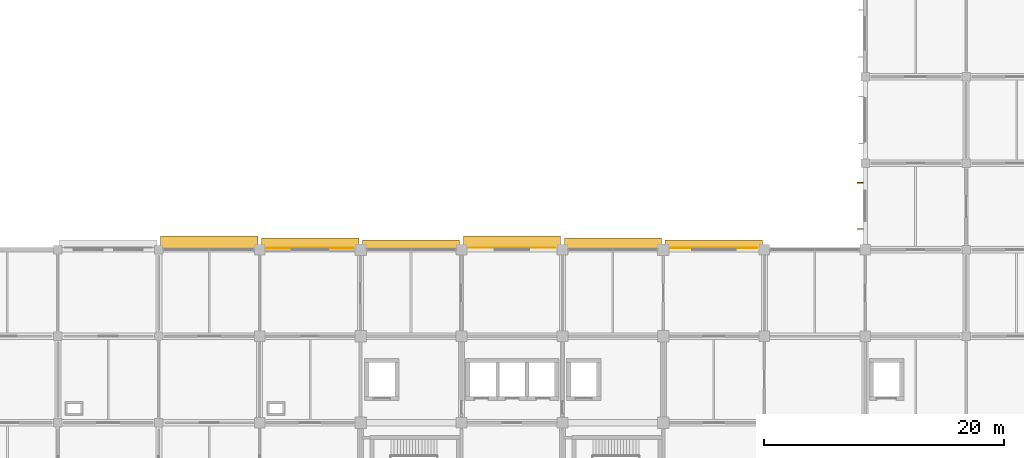
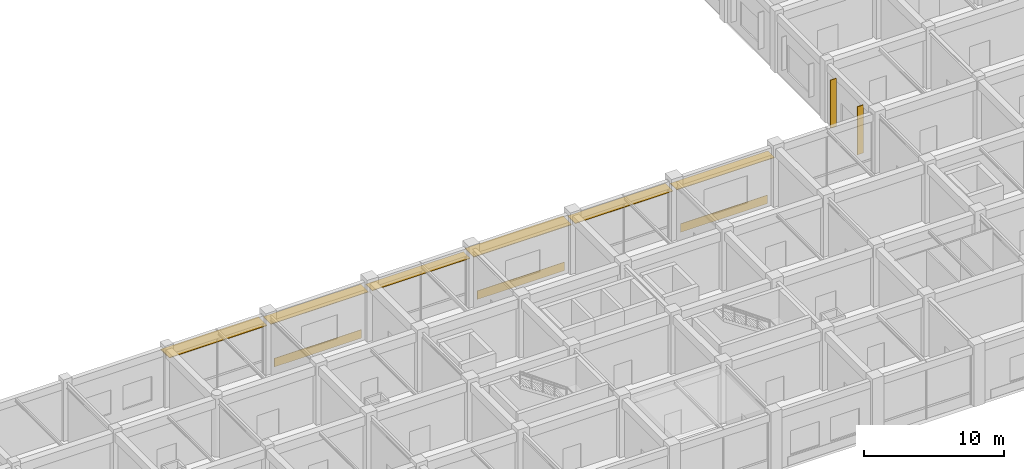
# One storey, part 38 of 41: 8 shading devices, 3 coverings.
"""IFC4 building model written with IfcOpenShell, lengths in metres."""

import ifcopenshell
import ifcopenshell.guid

model = None  # the IFC model being written
_history = None  # IfcOwnerHistory: only IFC2X3 demands one
_inside = {}  # id of a spatial element -> (the spatial element, [elements in it])
_under = {}  # id of a project, library or spatial element -> (it, [spatial elements below it])
_declared = {}  # id of a project -> (the project, [libraries it declares])
_typed = {}  # id of a type object -> (the type object, [elements of that type])
_made_of = {}  # id of a material, layer set ... -> (it, [elements and type objects made of it])


def new_model(schema):
    """Start an empty IFC model of exactly this schema.

    Asked for "IFC4X3", IfcOpenShell would pick the latest addendum, in which some entities
    have other attributes; the version numbers below select the first issue.
    IFC2X3 requires an IfcOwnerHistory on every rooted entity: one is made here for all.
    """
    global model, _history
    if schema == "IFC4X3":
        model = ifcopenshell.file(schema_version=(4, 3, 0, 0))
    else:
        model = ifcopenshell.file(schema=schema)
    _inside.clear()
    _under.clear()
    _declared.clear()
    _typed.clear()
    _made_of.clear()
    _history = None
    if model.schema == "IFC2X3":
        org = make("IfcOrganization", Name="unknown")
        user = make(
            "IfcPersonAndOrganization",
            ThePerson=make("IfcPerson", FamilyName="unknown"),
            TheOrganization=org,
        )
        app = make(
            "IfcApplication",
            ApplicationDeveloper=org,
            Version="unknown",
            ApplicationFullName="unknown",
            ApplicationIdentifier="unknown",
        )
        _history = make(
            "IfcOwnerHistory",
            OwningUser=user,
            OwningApplication=app,
            ChangeAction="ADDED",
            CreationDate=0,
        )
    return model


def make(cls, **values):
    """One entity of the class cls with the attributes given. An attribute that is None is left unset."""
    return model.create_entity(
        cls, **{name: value for name, value in values.items() if value is not None}
    )


def rooted(cls, **values):
    """An entity with a GlobalId (a new one), such as an element, a storey or a relation."""
    return make(cls, GlobalId=ifcopenshell.guid.new(), OwnerHistory=_history, **values)


def si_unit(unit_type, name, prefix=None):
    """IfcSIUnit, for example si_unit("LENGTHUNIT", "METRE", prefix="MILLI")."""
    return make("IfcSIUnit", UnitType=unit_type, Prefix=prefix, Name=name)


def derived_unit(unit_type, elements):
    """IfcDerivedUnit: a product of units, each with its exponent."""
    return make(
        "IfcDerivedUnit",
        Elements=[
            make("IfcDerivedUnitElement", Unit=unit, Exponent=power)
            for unit, power in elements
        ],
        UnitType=unit_type,
    )


def assignment(units):
    """IfcUnitAssignment: the units of a project."""
    return None if units is None else make("IfcUnitAssignment", Units=units)


def point(xyz):
    """IfcCartesianPoint."""
    return None if xyz is None else make("IfcCartesianPoint", Coordinates=xyz)


def direction(xyz):
    """IfcDirection."""
    return None if xyz is None else make("IfcDirection", DirectionRatios=xyz)


def frame(location, z_axis=None, x_axis=None):
    """IfcAxis2Placement3D, a coordinate frame: its origin and axes. An axis left out is left unset."""
    return make(
        "IfcAxis2Placement3D",
        Location=point(location),
        Axis=direction(z_axis),
        RefDirection=direction(x_axis),
    )


def frame_2d(location, x_axis=None):
    """IfcAxis2Placement2D, a coordinate frame in the plane: its origin and x axis."""
    return make(
        "IfcAxis2Placement2D", Location=point(location), RefDirection=direction(x_axis)
    )


def origin():
    """The frame at (0, 0, 0) with its axes left unset."""
    return frame((0.0, 0.0, 0.0))


def origin_2d():
    """The frame at (0, 0) in the plane with its x axis left unset."""
    return frame_2d((0.0, 0.0))


def place(relative_to, where):
    """IfcLocalPlacement: puts the frame where relative to a parent placement (None: the world)."""
    return make(
        "IfcLocalPlacement", PlacementRelTo=relative_to, RelativePlacement=where
    )


def context(
    kind, dimensions, precision=None, world=None, true_north=None, identifier=None
):
    """IfcGeometricRepresentationContext, for example the 3D "Model" context."""
    return make(
        "IfcGeometricRepresentationContext",
        ContextIdentifier=identifier,
        ContextType=kind,
        CoordinateSpaceDimension=dimensions,
        Precision=precision,
        WorldCoordinateSystem=world,
        TrueNorth=true_north,
    )


def subcontext(parent, identifier, kind, view, scale=None):
    """IfcGeometricRepresentationSubContext, for example "Body" below "Model"."""
    return make(
        "IfcGeometricRepresentationSubContext",
        ContextIdentifier=identifier,
        ContextType=kind,
        ParentContext=parent,
        TargetScale=scale,
        TargetView=view,
    )


def project(units=None, contexts=None):
    """IfcProject with its units and contexts."""
    return rooted(
        "IfcProject",
        Name="project",
        RepresentationContexts=contexts,
        UnitsInContext=assignment(units),
    )


def spatial(cls, under=None, at=None, **own):
    """A site, building, storey or space (cls), placed at a placement, below another one or the project."""
    s = rooted(cls, ObjectPlacement=at, **own)
    if under is not None:
        _under.setdefault(under.id(), (under, []))[1].append(s)
    return s


def profile(cls, at=None, kind="AREA", **sizes):
    """A parametric profile (cls). Its sizes go by their IFC names, for example OverallWidth=200.0."""
    return make(cls, ProfileType=kind, Position=at, **sizes)


def rectangle(**sizes):
    """IfcRectangleProfileDef."""
    return profile("IfcRectangleProfileDef", **sizes)


def extrude(swept, where, along, depth):
    """IfcExtrudedAreaSolid: the profile swept, set in the frame where, extruded along a direction by depth."""
    return make(
        "IfcExtrudedAreaSolid",
        SweptArea=swept,
        Position=where,
        ExtrudedDirection=direction(along),
        Depth=depth,
    )


def shape(context_of_items, identifier, shape_type, items):
    """IfcShapeRepresentation: the items that make up one representation, for example the "Body"."""
    return make(
        "IfcShapeRepresentation",
        ContextOfItems=context_of_items,
        RepresentationIdentifier=identifier,
        RepresentationType=shape_type,
        Items=items,
    )


def material(Name=None, Category=None):
    """IfcMaterial."""
    return make("IfcMaterial", Name=Name, Category=Category)


def layer(
    of_material, thickness, ventilated=None, Name=None, Category=None, Priority=None
):
    """IfcMaterialLayer: one layer of a wall or slab, of a material (None: an air gap)."""
    return make(
        "IfcMaterialLayer",
        Material=of_material,
        LayerThickness=thickness,
        IsVentilated=ventilated,
        Name=Name,
        Category=Category,
        Priority=Priority,
    )


def layer_set(layers, Name=None):
    """IfcMaterialLayerSet."""
    return make("IfcMaterialLayerSet", MaterialLayers=layers, LayerSetName=Name)


def made_of(thing, what):
    """Note that an element or type object is made of a material, layer set ...; save() writes the relation."""
    if what is not None:
        _made_of.setdefault(what.id(), (what, []))[1].append(thing)
    return thing


def type_object(cls, material=None, **own):
    """A type object (cls), such as IfcWallType, which elements share."""
    return made_of(rooted(cls, **own), material)


def element(
    cls,
    number,
    at=None,
    inside=None,
    cuts=None,
    type_object=None,
    material=None,
    context=None,
    identifier="Body",
    shape_type=None,
    held_by="IfcProductDefinitionShape",
    body=None,
    shapes=None,
    **own,
):
    """One element of the class cls, such as IfcWall. Its Tag is "e" and its number.

    at: its placement. inside: the storey or other place that contains it. cuts: it is an
    opening in that element (IfcRelVoidsElement). A single representation is given by context,
    identifier, shape_type and body (its items); several are given by shapes. held_by: the class
    of the entity that holds the representations. save() writes the other relations.
    """
    e = rooted(cls, Tag="e%d" % number, ObjectPlacement=at, **own)
    if body is not None:
        shapes = [shape(context, identifier, shape_type, body)]
    if shapes is not None:
        e.Representation = make(held_by, Representations=shapes)
    if inside is not None:
        _inside.setdefault(inside.id(), (inside, []))[1].append(e)
    if cuts is not None:
        rooted(
            "IfcRelVoidsElement", RelatingBuildingElement=cuts, RelatedOpeningElement=e
        )
    if type_object is not None:
        _typed.setdefault(type_object.id(), (type_object, []))[1].append(e)
    return made_of(e, material)


def aggregate(whole, parts):
    """IfcRelAggregates: a whole, such as a stair, and the parts it consists of."""
    return rooted("IfcRelAggregates", RelatingObject=whole, RelatedObjects=parts)


def save(model, path):
    """Write the relations noted so far, then the file.

    IfcRelAggregates (storeys below a building ...), IfcRelContainedInSpatialStructure (elements
    in a storey), IfcRelDefinesByType, IfcRelAssociatesMaterial and IfcRelDeclares: one each for
    every whole, place, type object, material and project.
    """
    for whole, parts in _under.values():
        aggregate(whole, parts)
    for where, things in _inside.values():
        rooted(
            "IfcRelContainedInSpatialStructure",
            RelatedElements=things,
            RelatingStructure=where,
        )
    for kind, things in _typed.values():
        rooted("IfcRelDefinesByType", RelatedObjects=things, RelatingType=kind)
    for what, things in _made_of.values():
        rooted("IfcRelAssociatesMaterial", RelatedObjects=things, RelatingMaterial=what)
    for by, libraries in _declared.values():
        rooted("IfcRelDeclares", RelatingContext=by, RelatedDefinitions=libraries)
    model.write(path)


model = new_model("IFC4")

# Units and contexts
model_context = context("Model", 3, precision=1e-05, world=origin(), true_north=direction((0.0, 1.0)))
body_context = subcontext(model_context, "Body", "Model", "MODEL_VIEW")
ifc_project = project(units=[si_unit("LENGTHUNIT", "METRE"), si_unit("AREAUNIT", "SQUARE_METRE"), si_unit("VOLUMEUNIT", "CUBIC_METRE"), si_unit("PLANEANGLEUNIT", "RADIAN"), si_unit("MASSUNIT", "GRAM", prefix="KILO"), derived_unit("THERMALTRANSMITTANCEUNIT", [(si_unit("MASSUNIT", "GRAM", prefix="KILO"), 1), (si_unit("TIMEUNIT", "SECOND"), -3), (si_unit("THERMODYNAMICTEMPERATUREUNIT", "KELVIN"), -1)])], contexts=[model_context])

# Site, building, storey
site_placement = place(None, origin())
site = spatial("IfcSite", under=ifc_project, at=site_placement, CompositionType="ELEMENT")
building_placement = place(site_placement, origin())
building = spatial("IfcBuilding", under=site, at=building_placement, Name="Veldstrom Oceanarium and Marine Research Institute", CompositionType="ELEMENT")
storey_placement = place(building_placement, frame((0.0, 0.0, 6.0)))
storey = spatial("IfcBuildingStorey", under=building, at=storey_placement, Name="L01", CompositionType="ELEMENT", Elevation=6.0)

# Coverings
ifc_material_1 = material(Name="Anodised Aluminium Spandrel Rainscreen Cladding", Category="aluminium")
ifc_layer_1 = layer(ifc_material_1, 0.75)
ifc_layer_set_1 = layer_set([ifc_layer_1], Name="ARC-COV-CD1")
covering_type = type_object("IfcCoveringType", Name="ARC-COV-CD1", PredefinedType="CLADDING", material=ifc_layer_set_1)
for number, where, z_axis, x_axis, name in (
    (1, (71.387451171875, 72.138427734375, 0.044921875), (0.0, 0.0, 1.0), (1.0, 0.0, 0.0), "Spandrel Rainscreen Cladding L01-044"),
    (2, (88.199951171875, 72.16845703125, 0.044921875), (0.0, 0.0, 1.0), (1.0, 0.0, 0.0), "Spandrel Rainscreen Cladding L01-046"),
    (3, (105.012451171875, 72.1484375, 0.044921875), (0.0, 0.0, 1.0), (1.0, 0.0, 0.0), "Spandrel Rainscreen Cladding L01-048"),
):
    element("IfcCovering", number, at=place(storey_placement, frame(where, z_axis=z_axis, x_axis=x_axis)), inside=storey, type_object=covering_type, Name=name, PredefinedType="CLADDING", context=body_context, shape_type="SweptSolid", body=[
        extrude(rectangle(XDim=7.199951171875, YDim=0.034912109375, at=origin_2d()), origin(), (0.0, 0.0, 1.0), 0.75),
    ])

# Shading devices
ifc_material_2 = material(Name="Precast Terracotta Brise-Soleil Louvre", Category="masonry")
ifc_layer_2 = layer(ifc_material_2, 4.199951171875)
ifc_layer_set_2 = layer_set([ifc_layer_2], Name="ARC-SHD-BS03")
shading_device_type_1 = type_object("IfcShadingDeviceType", Name="ARC-SHD-BS03", PredefinedType="JALOUSIE", material=ifc_layer_set_2)
for number, where, z_axis, x_axis, name in (
    (4, (117.199951171875, 73.72998046875, 0.4375), (0.0, 0.0, 1.0), (1.0, 0.0, 0.0), "Terracotta Brise-Soleil Louvre L01-050"),
    (5, (117.199951171875, 77.570068359375, 0.4375), (0.0, 0.0, 1.0), (1.0, 0.0, 0.0), "Terracotta Brise-Soleil Louvre L01-050"),
):
    element("IfcShadingDevice", number, at=place(storey_placement, frame(where, z_axis=z_axis, x_axis=x_axis)), inside=storey, type_object=shading_device_type_1, Name=name, PredefinedType="JALOUSIE", context=body_context, shape_type="SweptSolid", body=[
        extrude(rectangle(XDim=0.5, YDim=0.06494140625, at=origin_2d()), origin(), (0.0, 0.0, 1.0), 4.199951171875),
    ])
ifc_material_3 = material(Name="Perforated Anodised Aluminium Louvre", Category="aluminium")
ifc_layer_3 = layer(ifc_material_3, 0.054931640625)
ifc_layer_set_3 = layer_set([ifc_layer_3], Name="ARC-SHD-SH01")
shading_device_type_2 = type_object("IfcShadingDeviceType", Name="ARC-SHD-SH01", PredefinedType="AWNING", material=ifc_layer_set_3)
for number, where, z_axis, x_axis, name in (
    (6, (63.0, 72.5048828125, 4.0498046875), (0.0, 0.0, 1.0), (1.0, 0.0, 0.0), "North Solar Canopy Louvre L01-8"),
    (7, (88.199951171875, 72.5048828125, 4.0498046875), (0.0, 0.0, 1.0), (1.0, 0.0, 0.0), "North Solar Canopy Louvre L01-11"),
):
    element("IfcShadingDevice", number, at=place(storey_placement, frame(where, z_axis=z_axis, x_axis=x_axis)), inside=storey, type_object=shading_device_type_2, Name=name, PredefinedType="AWNING", context=body_context, shape_type="SweptSolid", body=[
        extrude(rectangle(XDim=8.10009765625, YDim=1.25, at=origin_2d()), origin(), (0.0, 0.0, 1.0), 0.054931640625),
    ])
ifc_material_4 = material(Name="Perforated Anodised Aluminium Louvre", Category="aluminium")
ifc_layer_4 = layer(ifc_material_4, 0.050048828125)
ifc_layer_set_4 = layer_set([ifc_layer_4], Name="ARC-SHD-SH02")
shading_device_type_3 = type_object("IfcShadingDeviceType", Name="ARC-SHD-SH02", PredefinedType="AWNING", material=ifc_layer_set_4)
for number, where, z_axis, x_axis, name in (
    (8, (71.39990234375, 72.429931640625, 4.0498046875), (0.0, 0.0, 1.0), (1.0, 0.0, 0.0), "North Solar Canopy Louvre L01-9"),
    (9, (96.60009765625, 72.429931640625, 4.0498046875), (0.0, 0.0, 1.0), (1.0, 0.0, 0.0), "North Solar Canopy Louvre L01-12"),
):
    element("IfcShadingDevice", number, at=place(storey_placement, frame(where, z_axis=z_axis, x_axis=x_axis)), inside=storey, type_object=shading_device_type_3, Name=name, PredefinedType="AWNING", context=body_context, shape_type="SweptSolid", body=[
        extrude(rectangle(XDim=8.10009765625, YDim=1.10009765625, at=origin_2d()), origin(), (0.0, 0.0, 1.0), 0.050048828125),
    ])
ifc_material_5 = material(Name="Perforated Anodised Aluminium Louvre", Category="aluminium")
ifc_layer_5 = layer(ifc_material_5, 0.044921875)
ifc_layer_set_5 = layer_set([ifc_layer_5], Name="ARC-SHD-SH03")
shading_device_type_4 = type_object("IfcShadingDeviceType", Name="ARC-SHD-SH03", PredefinedType="AWNING", material=ifc_layer_set_5)
for number, where, z_axis, x_axis, name in (
    (10, (79.800048828125, 72.35498046875, 4.050048828125), (0.0, 0.0, 1.0), (1.0, 0.0, 0.0), "North Solar Canopy Louvre L01-10"),
    (11, (105.0, 72.35498046875, 4.050048828125), (0.0, 0.0, 1.0), (1.0, 0.0, 0.0), "North Solar Canopy Louvre L01-13"),
):
    element("IfcShadingDevice", number, at=place(storey_placement, frame(where, z_axis=z_axis, x_axis=x_axis)), inside=storey, type_object=shading_device_type_4, Name=name, PredefinedType="AWNING", context=body_context, shape_type="SweptSolid", body=[
        extrude(rectangle(XDim=8.10009765625, YDim=0.949951171875, at=origin_2d()), origin(), (0.0, 0.0, 1.0), 0.044921875),
    ])

save(model, "model.ifc")
